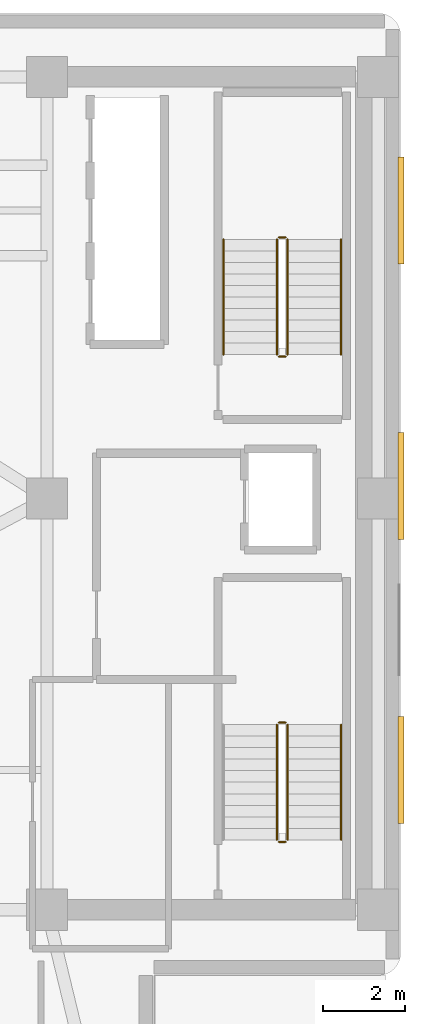
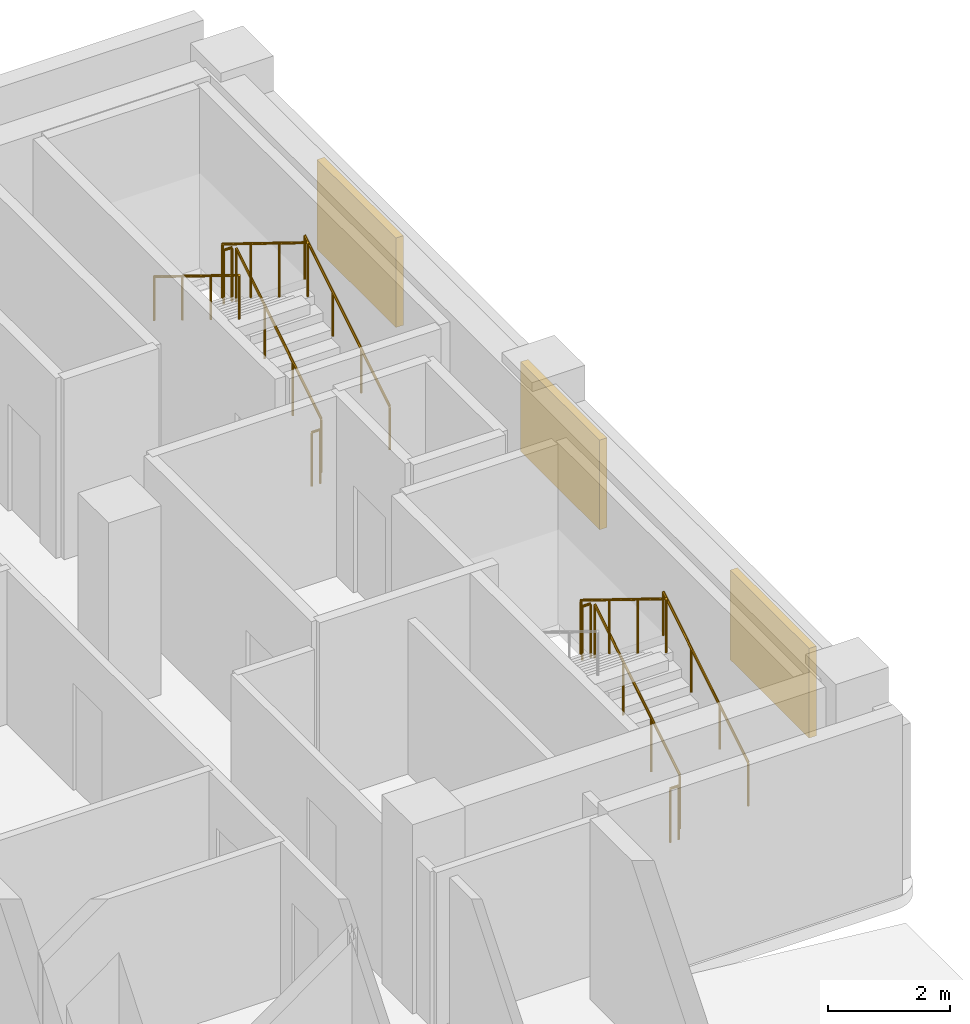
# One storey, part 10 of 10: 11 railings, 3 shading devices.
"""IFC4 building model written with IfcOpenShell, lengths in metres."""

from ifc_helpers import new_model, si_unit, direction, frame, origin, origin_2d, place, context, subcontext, project, spatial, rectangle, circle, extrude, material, layer, layer_set, type_object, element, save


model = new_model("IFC4")

# Units and contexts
model_context = context("Model", 3, precision=1e-05, world=origin(), true_north=direction((0.0, 1.0)))
body_context = subcontext(model_context, "Body", "Model", "MODEL_VIEW")
ifc_project = project(units=[si_unit("LENGTHUNIT", "METRE"), si_unit("AREAUNIT", "SQUARE_METRE"), si_unit("VOLUMEUNIT", "CUBIC_METRE"), si_unit("PLANEANGLEUNIT", "RADIAN"), si_unit("MASSUNIT", "GRAM", prefix="KILO")], contexts=[model_context])

# Site, building, storey
site_placement = place(None, origin())
site = spatial("IfcSite", under=ifc_project, at=site_placement, CompositionType="ELEMENT")
building_placement = place(site_placement, origin())
building = spatial("IfcBuilding", under=site, at=building_placement, Name="Kuzgunbayir Cultural Tower", CompositionType="ELEMENT")
storey_placement = place(building_placement, frame((0.0, 0.0, 26.39990234375)))
storey = spatial("IfcBuildingStorey", under=building, at=storey_placement, Name="L06", CompositionType="ELEMENT", Elevation=26.39990234375)

# Railings
ifc_material_1 = material(Name="Brushed Stainless Steel", Category="steel")
ifc_layer_1 = layer(ifc_material_1, 0.050048828125)
ifc_layer_set_1 = layer_set([ifc_layer_1], Name="Brushed Stainless Steel")
railing_type_1 = type_object("IfcRailingType", Name="RLG-STAIR-HANDRAIL", PredefinedType="HANDRAIL", material=ifc_layer_set_1)
for number, where, name in (
    (1, (71.75, 23.699951171875, 0.1728515625), "L06 ST-3 stair handrail 1"),
    (2, (71.75, 35.5, 0.1728515625), "L06 ST-4 stair handrail 1"),
):
    element("IfcRailing", number, at=place(storey_placement, frame(where)), inside=storey, type_object=railing_type_1, Name=name, PredefinedType="HANDRAIL", context=body_context, shape_type="SweptSolid", body=[
        extrude(circle(Radius=0.02392578125, at=origin_2d()), frame((0.0, 0.0, 0.8759765625), z_axis=(0.0, 0.851089632645, 0.525020415988), x_axis=(-1.0, 0.0, 0.0)), (0.0, 0.0, 1.0), 3.2900390625),
        extrude(circle(Radius=0.02099609375, at=origin_2d()), origin(), (0.0, 0.0, 1.0), 0.851806640625),
        extrude(circle(Radius=0.02099609375, at=origin_2d()), frame((0.0, 0.933349609375, 0.57568359375)), (0.0, 0.0, 1.0), 0.851806640625),
        extrude(circle(Radius=0.02099609375, at=origin_2d()), frame((0.0, 1.86669921875, 1.151611328125)), (0.0, 0.0, 1.0), 0.851806640625),
        extrude(circle(Radius=0.02099609375, at=origin_2d()), frame((0.0, 2.800048828125, 1.727294921875)), (0.0, 0.0, 1.0), 0.851806640625),
    ])
railing_1_placement = place(storey_placement, frame((68.889892578125, 38.300048828125, 2.07275390625)))
element("IfcRailing", 3, at=railing_1_placement, inside=storey, type_object=railing_type_1, Name="L06 ST-4 stair handrail 2", PredefinedType="HANDRAIL", context=body_context, shape_type="SweptSolid", body=[
    extrude(circle(Radius=0.02392578125, at=origin_2d()), frame((0.0, 0.0, 0.8759765625), z_axis=(0.0, -0.851089632645, 0.525020415988), x_axis=(1.0, 0.0, 0.0)), (0.0, 0.0, 1.0), 3.2900390625),
    extrude(circle(Radius=0.02099609375, at=origin_2d()), origin(), (0.0, 0.0, 1.0), 0.851806640625),
    extrude(circle(Radius=0.02099609375, at=origin_2d()), frame((0.0, -0.933349609375, 0.57568359375)), (0.0, 0.0, 1.0), 0.851806640625),
    extrude(circle(Radius=0.02099609375, at=origin_2d()), frame((0.0, -1.86669921875, 1.151611328125)), (0.0, 0.0, 1.0), 0.851806640625),
    extrude(circle(Radius=0.02099609375, at=origin_2d()), frame((0.0, -2.800048828125, 1.727294921875)), (0.0, 0.0, 1.0), 0.851806640625),
])
ifc_material_2 = material(Name="Painted Steel Balustrade", Category="steel")
ifc_layer_2 = layer(ifc_material_2, 0.06005859375)
ifc_layer_set_2 = layer_set([ifc_layer_2], Name="Painted Steel Balustrade")
railing_type_2 = type_object("IfcRailingType", Name="RLG-WELL-GUARD", PredefinedType="GUARDRAIL", material=ifc_layer_set_2)
railing_2_placement = place(storey_placement, frame((70.449951171875, 23.699951171875, 0.1728515625)))
element("IfcRailing", 4, at=railing_2_placement, inside=storey, type_object=railing_type_2, Name="L06 ST-3 stair guard 1", PredefinedType="GUARDRAIL", context=body_context, shape_type="SweptSolid", body=[
    extrude(circle(Radius=0.02392578125, at=origin_2d()), frame((0.0, 0.0, 1.076171875), z_axis=(0.0, 0.851089632645, 0.525020415988), x_axis=(-1.0, 0.0, 0.0)), (0.0, 0.0, 1.0), 3.2900390625),
    extrude(circle(Radius=0.02099609375, at=origin_2d()), origin(), (0.0, 0.0, 1.0), 1.052001953125),
    extrude(circle(Radius=0.02099609375, at=origin_2d()), frame((0.0, 0.933349609375, 0.57568359375)), (0.0, 0.0, 1.0), 1.052001953125),
    extrude(circle(Radius=0.02099609375, at=origin_2d()), frame((0.0, 1.86669921875, 1.151611328125)), (0.0, 0.0, 1.0), 1.052001953125),
    extrude(circle(Radius=0.02099609375, at=origin_2d()), frame((0.0, 2.800048828125, 1.727294921875)), (0.0, 0.0, 1.0), 1.052001953125),
])
railing_3_placement = place(storey_placement, frame((70.39990234375, 26.550048828125, 1.900146484375)))
element("IfcRailing", 5, at=railing_3_placement, inside=storey, type_object=railing_type_2, Name="L06 ST-3 stair guard 2", PredefinedType="GUARDRAIL", context=body_context, shape_type="SweptSolid", body=[
    extrude(circle(Radius=0.02392578125, at=origin_2d()), frame((0.0, 0.0, 1.076171875), z_axis=(-1.0, 0.0, 0.0), x_axis=(0.0, -1.0, 0.0)), (0.0, 0.0, 1.0), 0.159912109375),
    extrude(circle(Radius=0.02099609375, at=origin_2d()), origin(), (0.0, 0.0, 1.0), 1.052001953125),
    extrude(circle(Radius=0.02099609375, at=origin_2d()), frame((-0.159912109375, 0.0, 0.0)), (0.0, 0.0, 1.0), 1.052001953125),
])
railing_4_placement = place(storey_placement, frame((70.18994140625, 26.5, 2.07275390625)))
element("IfcRailing", 6, at=railing_4_placement, inside=storey, type_object=railing_type_2, Name="L06 ST-3 stair guard 3", PredefinedType="GUARDRAIL", context=body_context, shape_type="SweptSolid", body=[
    extrude(circle(Radius=0.02392578125, at=origin_2d()), frame((0.0, 0.0, 1.076171875), z_axis=(0.0, -0.851089632645, 0.525020415988), x_axis=(1.0, 0.0, 0.0)), (0.0, 0.0, 1.0), 3.2900390625),
    extrude(circle(Radius=0.02099609375, at=origin_2d()), origin(), (0.0, 0.0, 1.0), 1.052001953125),
    extrude(circle(Radius=0.02099609375, at=origin_2d()), frame((0.0, -0.933349609375, 0.57568359375)), (0.0, 0.0, 1.0), 1.052001953125),
    extrude(circle(Radius=0.02099609375, at=origin_2d()), frame((0.0, -1.86669921875, 1.151611328125)), (0.0, 0.0, 1.0), 1.052001953125),
    extrude(circle(Radius=0.02099609375, at=origin_2d()), frame((0.0, -2.800048828125, 1.727294921875)), (0.0, 0.0, 1.0), 1.052001953125),
])
railing_5_placement = place(storey_placement, frame((70.39990234375, 23.64990234375, 0.0)))
element("IfcRailing", 7, at=railing_5_placement, inside=storey, type_object=railing_type_2, Name="L06 ST-3 stair guard 4", PredefinedType="GUARDRAIL", context=body_context, shape_type="SweptSolid", body=[
    extrude(circle(Radius=0.02392578125, at=origin_2d()), frame((0.0, 0.0, 1.076171875), z_axis=(-1.0, 0.0, 0.0), x_axis=(0.0, -1.0, 0.0)), (0.0, 0.0, 1.0), 0.159912109375),
    extrude(circle(Radius=0.02099609375, at=origin_2d()), origin(), (0.0, 0.0, 1.0), 1.052001953125),
    extrude(circle(Radius=0.02099609375, at=origin_2d()), frame((-0.159912109375, 0.0, 0.0)), (0.0, 0.0, 1.0), 1.052001953125),
])
railing_6_placement = place(storey_placement, frame((70.449951171875, 35.5, 0.1728515625)))
element("IfcRailing", 8, at=railing_6_placement, inside=storey, type_object=railing_type_2, Name="L06 ST-4 stair guard 1", PredefinedType="GUARDRAIL", context=body_context, shape_type="SweptSolid", body=[
    extrude(circle(Radius=0.02392578125, at=origin_2d()), frame((0.0, 0.0, 1.076171875), z_axis=(0.0, 0.851089632645, 0.525020415988), x_axis=(-1.0, 0.0, 0.0)), (0.0, 0.0, 1.0), 3.2900390625),
    extrude(circle(Radius=0.02099609375, at=origin_2d()), origin(), (0.0, 0.0, 1.0), 1.052001953125),
    extrude(circle(Radius=0.02099609375, at=origin_2d()), frame((0.0, 0.933349609375, 0.57568359375)), (0.0, 0.0, 1.0), 1.052001953125),
    extrude(circle(Radius=0.02099609375, at=origin_2d()), frame((0.0, 1.86669921875, 1.151611328125)), (0.0, 0.0, 1.0), 1.052001953125),
    extrude(circle(Radius=0.02099609375, at=origin_2d()), frame((0.0, 2.800048828125, 1.727294921875)), (0.0, 0.0, 1.0), 1.052001953125),
])
railing_7_placement = place(storey_placement, frame((70.39990234375, 38.35009765625, 1.900146484375)))
element("IfcRailing", 9, at=railing_7_placement, inside=storey, type_object=railing_type_2, Name="L06 ST-4 stair guard 2", PredefinedType="GUARDRAIL", context=body_context, shape_type="SweptSolid", body=[
    extrude(circle(Radius=0.02392578125, at=origin_2d()), frame((0.0, 0.0, 1.076171875), z_axis=(-1.0, 0.0, 0.0), x_axis=(0.0, -1.0, 0.0)), (0.0, 0.0, 1.0), 0.159912109375),
    extrude(circle(Radius=0.02099609375, at=origin_2d()), origin(), (0.0, 0.0, 1.0), 1.052001953125),
    extrude(circle(Radius=0.02099609375, at=origin_2d()), frame((-0.159912109375, 0.0, 0.0)), (0.0, 0.0, 1.0), 1.052001953125),
])
railing_8_placement = place(storey_placement, frame((70.18994140625, 38.300048828125, 2.07275390625)))
element("IfcRailing", 10, at=railing_8_placement, inside=storey, type_object=railing_type_2, Name="L06 ST-4 stair guard 3", PredefinedType="GUARDRAIL", context=body_context, shape_type="SweptSolid", body=[
    extrude(circle(Radius=0.02392578125, at=origin_2d()), frame((0.0, 0.0, 1.076171875), z_axis=(0.0, -0.851089632645, 0.525020415988), x_axis=(1.0, 0.0, 0.0)), (0.0, 0.0, 1.0), 3.2900390625),
    extrude(circle(Radius=0.02099609375, at=origin_2d()), origin(), (0.0, 0.0, 1.0), 1.052001953125),
    extrude(circle(Radius=0.02099609375, at=origin_2d()), frame((0.0, -0.933349609375, 0.57568359375)), (0.0, 0.0, 1.0), 1.052001953125),
    extrude(circle(Radius=0.02099609375, at=origin_2d()), frame((0.0, -1.86669921875, 1.151611328125)), (0.0, 0.0, 1.0), 1.052001953125),
    extrude(circle(Radius=0.02099609375, at=origin_2d()), frame((0.0, -2.800048828125, 1.727294921875)), (0.0, 0.0, 1.0), 1.052001953125),
])
railing_9_placement = place(storey_placement, frame((70.39990234375, 35.449951171875, 0.0)))
element("IfcRailing", 11, at=railing_9_placement, inside=storey, type_object=railing_type_2, Name="L06 ST-4 stair guard 4", PredefinedType="GUARDRAIL", context=body_context, shape_type="SweptSolid", body=[
    extrude(circle(Radius=0.02392578125, at=origin_2d()), frame((0.0, 0.0, 1.076171875), z_axis=(-1.0, 0.0, 0.0), x_axis=(0.0, -1.0, 0.0)), (0.0, 0.0, 1.0), 0.159912109375),
    extrude(circle(Radius=0.02099609375, at=origin_2d()), origin(), (0.0, 0.0, 1.0), 1.052001953125),
    extrude(circle(Radius=0.02099609375, at=origin_2d()), frame((-0.159912109375, 0.0, 0.0)), (0.0, 0.0, 1.0), 1.052001953125),
])

# Shading devices
ifc_material_3 = material(Name="Perforated Bronze-Anodised Aluminium", Category="aluminium")
shading_device_type = type_object("IfcShadingDeviceType", Name="SHD-SOLAR-BRONZE", PredefinedType="JALOUSIE", material=ifc_material_3)
for number, where, z_axis, x_axis, name in (
    (12, (73.2099609375, 25.39990234375, 0.80029296875), (0.0, 0.0, 1.0), (1.0, 0.0, 0.0), "L06 Companion East Bronze Solar Screen 25"),
    (13, (73.2099609375, 32.300048828125, 0.80029296875), (0.0, 0.0, 1.0), (1.0, 0.0, 0.0), "L06 Companion East Bronze Solar Screen 32"),
    (14, (73.2099609375, 39.0, 0.80029296875), (0.0, 0.0, 1.0), (1.0, 0.0, 0.0), "L06 Companion East Bronze Solar Screen 39"),
):
    element("IfcShadingDevice", number, at=place(storey_placement, frame(where, z_axis=z_axis, x_axis=x_axis)), inside=storey, type_object=shading_device_type, Name=name, PredefinedType="JALOUSIE", context=body_context, shape_type="SweptSolid", body=[
        extrude(rectangle(XDim=0.139892578125, YDim=2.60009765625, at=origin_2d()), origin(), (0.0, 0.0, 1.0), 1.800048828125),
    ])

save(model, "model.ifc")
